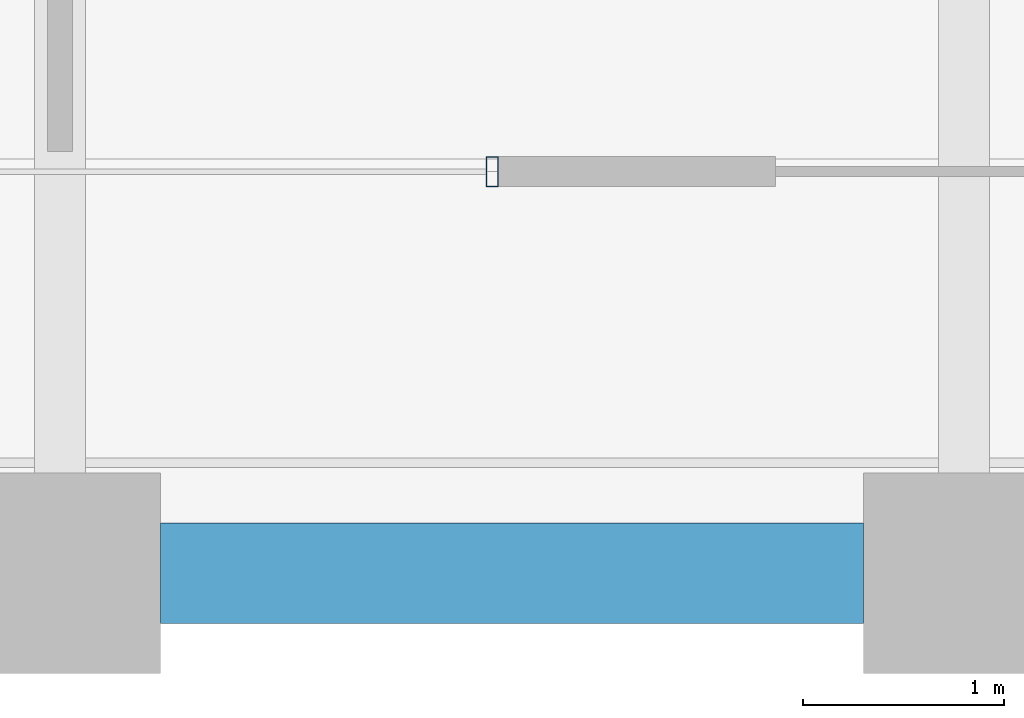
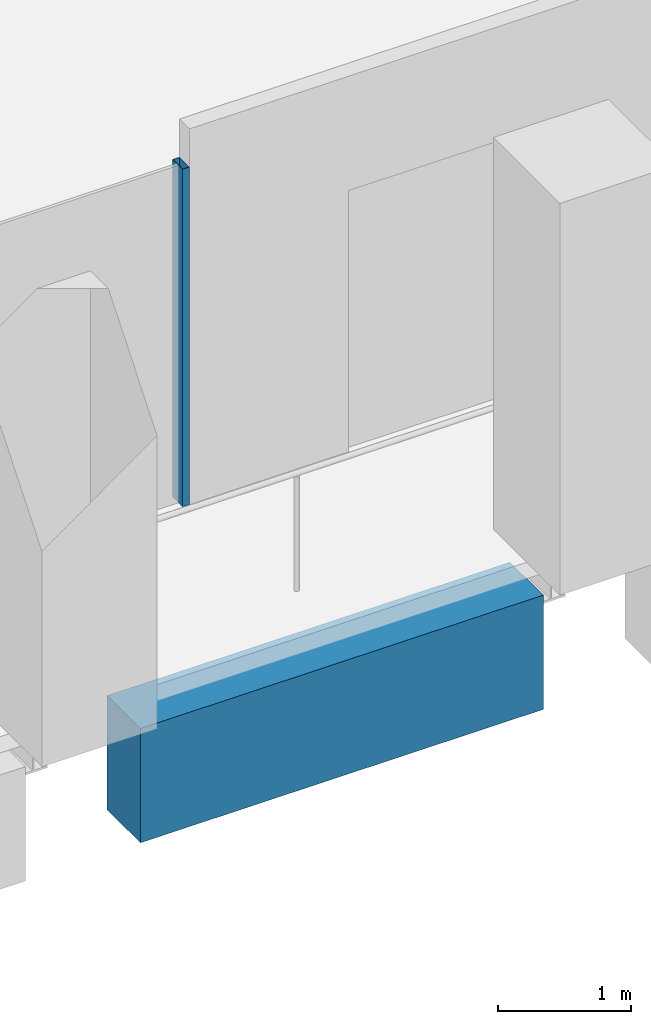
# One storey, part 7 of 46: 1 beam, 1 member, 1 element without a shape of its own.
"""IFC4 building model written with IfcOpenShell, lengths in metres."""

import ifcopenshell
import ifcopenshell.guid

model = None  # the IFC model being written
_history = None  # IfcOwnerHistory: only IFC2X3 demands one
_inside = {}  # id of a spatial element -> (the spatial element, [elements in it])
_under = {}  # id of a project, library or spatial element -> (it, [spatial elements below it])
_declared = {}  # id of a project -> (the project, [libraries it declares])
_typed = {}  # id of a type object -> (the type object, [elements of that type])
_made_of = {}  # id of a material, layer set ... -> (it, [elements and type objects made of it])


def new_model(schema):
    """Start an empty IFC model of exactly this schema.

    Asked for "IFC4X3", IfcOpenShell would pick the latest addendum, in which some entities
    have other attributes; the version numbers below select the first issue.
    IFC2X3 requires an IfcOwnerHistory on every rooted entity: one is made here for all.
    """
    global model, _history
    if schema == "IFC4X3":
        model = ifcopenshell.file(schema_version=(4, 3, 0, 0))
    else:
        model = ifcopenshell.file(schema=schema)
    _inside.clear()
    _under.clear()
    _declared.clear()
    _typed.clear()
    _made_of.clear()
    _history = None
    if model.schema == "IFC2X3":
        org = make("IfcOrganization", Name="unknown")
        user = make(
            "IfcPersonAndOrganization",
            ThePerson=make("IfcPerson", FamilyName="unknown"),
            TheOrganization=org,
        )
        app = make(
            "IfcApplication",
            ApplicationDeveloper=org,
            Version="unknown",
            ApplicationFullName="unknown",
            ApplicationIdentifier="unknown",
        )
        _history = make(
            "IfcOwnerHistory",
            OwningUser=user,
            OwningApplication=app,
            ChangeAction="ADDED",
            CreationDate=0,
        )
    return model


def make(cls, **values):
    """One entity of the class cls with the attributes given. An attribute that is None is left unset."""
    return model.create_entity(
        cls, **{name: value for name, value in values.items() if value is not None}
    )


def rooted(cls, **values):
    """An entity with a GlobalId (a new one), such as an element, a storey or a relation."""
    return make(cls, GlobalId=ifcopenshell.guid.new(), OwnerHistory=_history, **values)


def si_unit(unit_type, name, prefix=None):
    """IfcSIUnit, for example si_unit("LENGTHUNIT", "METRE", prefix="MILLI")."""
    return make("IfcSIUnit", UnitType=unit_type, Prefix=prefix, Name=name)


def assignment(units):
    """IfcUnitAssignment: the units of a project."""
    return None if units is None else make("IfcUnitAssignment", Units=units)


def point(xyz):
    """IfcCartesianPoint."""
    return None if xyz is None else make("IfcCartesianPoint", Coordinates=xyz)


def direction(xyz):
    """IfcDirection."""
    return None if xyz is None else make("IfcDirection", DirectionRatios=xyz)


def frame(location, z_axis=None, x_axis=None):
    """IfcAxis2Placement3D, a coordinate frame: its origin and axes. An axis left out is left unset."""
    return make(
        "IfcAxis2Placement3D",
        Location=point(location),
        Axis=direction(z_axis),
        RefDirection=direction(x_axis),
    )


def frame_2d(location, x_axis=None):
    """IfcAxis2Placement2D, a coordinate frame in the plane: its origin and x axis."""
    return make(
        "IfcAxis2Placement2D", Location=point(location), RefDirection=direction(x_axis)
    )


def origin():
    """The frame at (0, 0, 0) with its axes left unset."""
    return frame((0.0, 0.0, 0.0))


def origin_2d():
    """The frame at (0, 0) in the plane with its x axis left unset."""
    return frame_2d((0.0, 0.0))


def place(relative_to, where):
    """IfcLocalPlacement: puts the frame where relative to a parent placement (None: the world)."""
    return make(
        "IfcLocalPlacement", PlacementRelTo=relative_to, RelativePlacement=where
    )


def context(
    kind, dimensions, precision=None, world=None, true_north=None, identifier=None
):
    """IfcGeometricRepresentationContext, for example the 3D "Model" context."""
    return make(
        "IfcGeometricRepresentationContext",
        ContextIdentifier=identifier,
        ContextType=kind,
        CoordinateSpaceDimension=dimensions,
        Precision=precision,
        WorldCoordinateSystem=world,
        TrueNorth=true_north,
    )


def subcontext(parent, identifier, kind, view, scale=None):
    """IfcGeometricRepresentationSubContext, for example "Body" below "Model"."""
    return make(
        "IfcGeometricRepresentationSubContext",
        ContextIdentifier=identifier,
        ContextType=kind,
        ParentContext=parent,
        TargetScale=scale,
        TargetView=view,
    )


def project(units=None, contexts=None):
    """IfcProject with its units and contexts."""
    return rooted(
        "IfcProject",
        Name="project",
        RepresentationContexts=contexts,
        UnitsInContext=assignment(units),
    )


def spatial(cls, under=None, at=None, **own):
    """A site, building, storey or space (cls), placed at a placement, below another one or the project."""
    s = rooted(cls, ObjectPlacement=at, **own)
    if under is not None:
        _under.setdefault(under.id(), (under, []))[1].append(s)
    return s


def profile(cls, at=None, kind="AREA", **sizes):
    """A parametric profile (cls). Its sizes go by their IFC names, for example OverallWidth=200.0."""
    return make(cls, ProfileType=kind, Position=at, **sizes)


def rectangle(**sizes):
    """IfcRectangleProfileDef."""
    return profile("IfcRectangleProfileDef", **sizes)


def hollow_rectangle(**sizes):
    """IfcRectangleHollowProfileDef."""
    return profile("IfcRectangleHollowProfileDef", **sizes)


def extrude(swept, where, along, depth):
    """IfcExtrudedAreaSolid: the profile swept, set in the frame where, extruded along a direction by depth."""
    return make(
        "IfcExtrudedAreaSolid",
        SweptArea=swept,
        Position=where,
        ExtrudedDirection=direction(along),
        Depth=depth,
    )


def shape(context_of_items, identifier, shape_type, items):
    """IfcShapeRepresentation: the items that make up one representation, for example the "Body"."""
    return make(
        "IfcShapeRepresentation",
        ContextOfItems=context_of_items,
        RepresentationIdentifier=identifier,
        RepresentationType=shape_type,
        Items=items,
    )


def material(Name=None, Category=None):
    """IfcMaterial."""
    return make("IfcMaterial", Name=Name, Category=Category)


def material_profile(
    of_material, cross_section, Name=None, Category=None, Priority=None
):
    """IfcMaterialProfile: a cross section and its material."""
    return make(
        "IfcMaterialProfile",
        Name=Name,
        Material=of_material,
        Profile=cross_section,
        Priority=Priority,
        Category=Category,
    )


def profile_set(profiles, Name=None, composite=None):
    """IfcMaterialProfileSet."""
    return make(
        "IfcMaterialProfileSet",
        Name=Name,
        MaterialProfiles=profiles,
        CompositeProfile=composite,
    )


def made_of(thing, what):
    """Note that an element or type object is made of a material, layer set ...; save() writes the relation."""
    if what is not None:
        _made_of.setdefault(what.id(), (what, []))[1].append(thing)
    return thing


def type_object(cls, material=None, **own):
    """A type object (cls), such as IfcWallType, which elements share."""
    return made_of(rooted(cls, **own), material)


def element(
    cls,
    number,
    at=None,
    inside=None,
    cuts=None,
    type_object=None,
    material=None,
    context=None,
    identifier="Body",
    shape_type=None,
    held_by="IfcProductDefinitionShape",
    body=None,
    shapes=None,
    **own,
):
    """One element of the class cls, such as IfcWall. Its Tag is "e" and its number.

    at: its placement. inside: the storey or other place that contains it. cuts: it is an
    opening in that element (IfcRelVoidsElement). A single representation is given by context,
    identifier, shape_type and body (its items); several are given by shapes. held_by: the class
    of the entity that holds the representations. save() writes the other relations.
    """
    e = rooted(cls, Tag="e%d" % number, ObjectPlacement=at, **own)
    if body is not None:
        shapes = [shape(context, identifier, shape_type, body)]
    if shapes is not None:
        e.Representation = make(held_by, Representations=shapes)
    if inside is not None:
        _inside.setdefault(inside.id(), (inside, []))[1].append(e)
    if cuts is not None:
        rooted(
            "IfcRelVoidsElement", RelatingBuildingElement=cuts, RelatedOpeningElement=e
        )
    if type_object is not None:
        _typed.setdefault(type_object.id(), (type_object, []))[1].append(e)
    return made_of(e, material)


def aggregate(whole, parts):
    """IfcRelAggregates: a whole, such as a stair, and the parts it consists of."""
    return rooted("IfcRelAggregates", RelatingObject=whole, RelatedObjects=parts)


def save(model, path):
    """Write the relations noted so far, then the file.

    IfcRelAggregates (storeys below a building ...), IfcRelContainedInSpatialStructure (elements
    in a storey), IfcRelDefinesByType, IfcRelAssociatesMaterial and IfcRelDeclares: one each for
    every whole, place, type object, material and project.
    """
    for whole, parts in _under.values():
        aggregate(whole, parts)
    for where, things in _inside.values():
        rooted(
            "IfcRelContainedInSpatialStructure",
            RelatedElements=things,
            RelatingStructure=where,
        )
    for kind, things in _typed.values():
        rooted("IfcRelDefinesByType", RelatedObjects=things, RelatingType=kind)
    for what, things in _made_of.values():
        rooted("IfcRelAssociatesMaterial", RelatedObjects=things, RelatingMaterial=what)
    for by, libraries in _declared.values():
        rooted("IfcRelDeclares", RelatingContext=by, RelatedDefinitions=libraries)
    model.write(path)


model = new_model("IFC4")

# Units and contexts
model_context = context("Model", 3, precision=1e-05, world=origin(), true_north=direction((0.0, 1.0)))
body_context = subcontext(model_context, "Body", "Model", "MODEL_VIEW")
ifc_project = project(units=[si_unit("LENGTHUNIT", "METRE"), si_unit("AREAUNIT", "SQUARE_METRE"), si_unit("VOLUMEUNIT", "CUBIC_METRE"), si_unit("PLANEANGLEUNIT", "RADIAN"), si_unit("MASSUNIT", "GRAM", prefix="KILO")], contexts=[model_context])

# Site, building, storey
site_placement = place(None, origin())
site = spatial("IfcSite", under=ifc_project, at=site_placement, CompositionType="ELEMENT")
building_placement = place(site_placement, origin())
building = spatial("IfcBuilding", under=site, at=building_placement, Name="Altepetl Exchange Towers", CompositionType="ELEMENT")
storey_placement = place(building_placement, frame((0.0, 0.0, 120.800048828125)))
storey = spatial("IfcBuildingStorey", under=building, at=storey_placement, Name="L29", CompositionType="ELEMENT", Elevation=120.800048828125)

# Curtain wall, member
ifc_material_1 = material(Name="Aluminium 6063-T6 glazing", Category="aluminium")
curtain_wall_type = type_object("IfcCurtainWallType", Name="Loggia glazing system", PredefinedType="NOTDEFINED", material=ifc_material_1)
curtain_wall_placement = place(storey_placement, origin())
curtain_wall = element("IfcCurtainWall", 1, at=curtain_wall_placement, inside=storey, type_object=curtain_wall_type, Name="CW1 run", PredefinedType="NOTDEFINED")
ifc_material_2 = material(Name="Aluminium 6063-T6", Category="aluminium")
ifc_material_profile_1 = material_profile(ifc_material_2, hollow_rectangle(XDim=0.06005859375, YDim=0.14990234375, WallThickness=0.0029296875, at=origin_2d()), Name="Mullion 60x150 aluminium")
ifc_profile_set_1 = profile_set([ifc_material_profile_1], Name="Aluminium 6063-T6")
member_type = type_object("IfcMemberType", Name="Mullion 60x150 aluminium", PredefinedType="MULLION", material=ifc_profile_set_1)
member_placement = place(storey_placement, frame((47.152099609375, 29.0, 0.0)))
member = element("IfcMember", 2, at=member_placement, type_object=member_type, Name="MU1 mullion", PredefinedType="MULLION", context=body_context, shape_type="SweptSolid", body=[
    extrude(hollow_rectangle(XDim=0.06005859375, YDim=0.14990234375, WallThickness=0.0029296875, at=origin_2d()), origin(), (0.0, 0.0, 1.0), 3.099853515625),
])
aggregate(curtain_wall, [member])

# Beam
ifc_material_3 = material(Name="Concrete C50/60 precast with cantera blanca facing", Category="concrete")
ifc_material_profile_2 = material_profile(ifc_material_3, rectangle(XDim=0.5, YDim=1.050048828125, at=origin_2d()), Name="500 x 1050")
ifc_profile_set_2 = profile_set([ifc_material_profile_2], Name="Concrete C50/60 precast with cantera blanca facing")
beam_type = type_object("IfcBeamType", Name="Spandrel beam 500x1050 cantera blanca", PredefinedType="SPANDREL", material=ifc_profile_set_2)
beam_placement = place(storey_placement, frame((45.5, 27.0, -0.675048828125), z_axis=(1.0, 0.0, 0.0), x_axis=(0.0, 1.0, 0.0)))
element("IfcBeam", 3, at=beam_placement, inside=storey, type_object=beam_type, Name="sp:A:L29:003", PredefinedType="SPANDREL", context=body_context, shape_type="SweptSolid", body=[
    extrude(rectangle(XDim=0.5, YDim=1.050048828125, at=origin_2d()), origin(), (0.0, 0.0, 1.0), 3.5),
])

save(model, "model.ifc")
